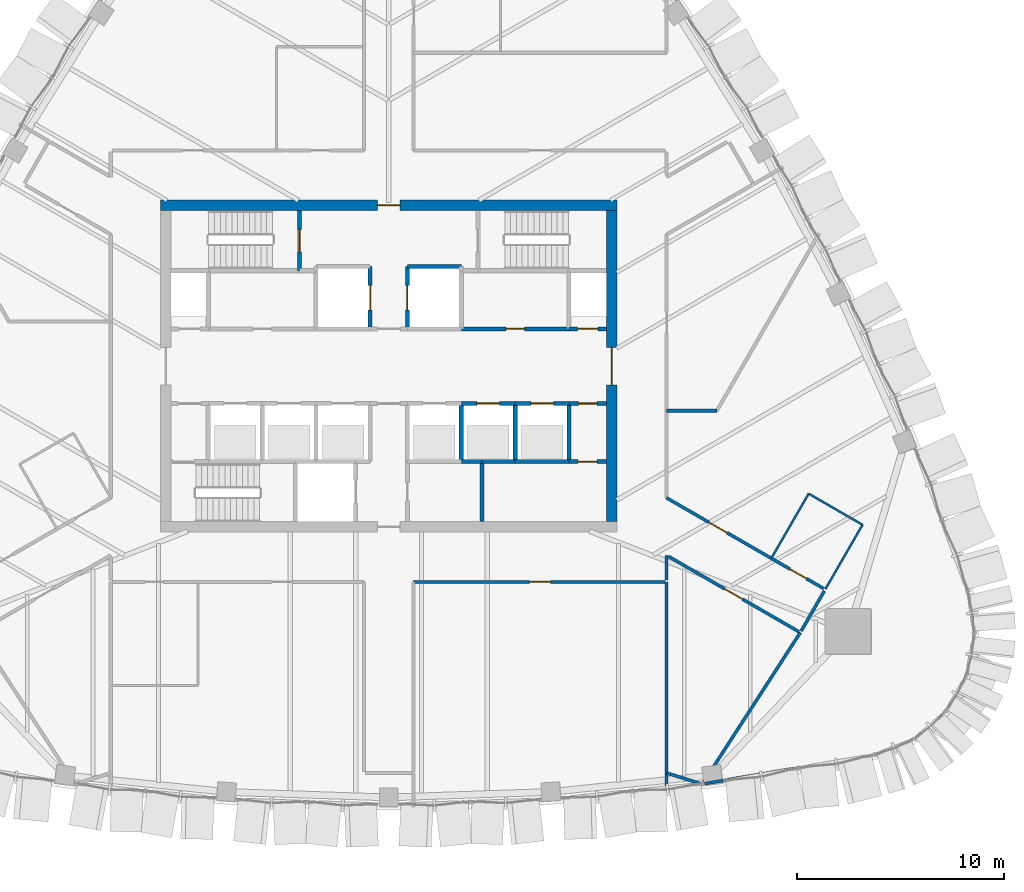
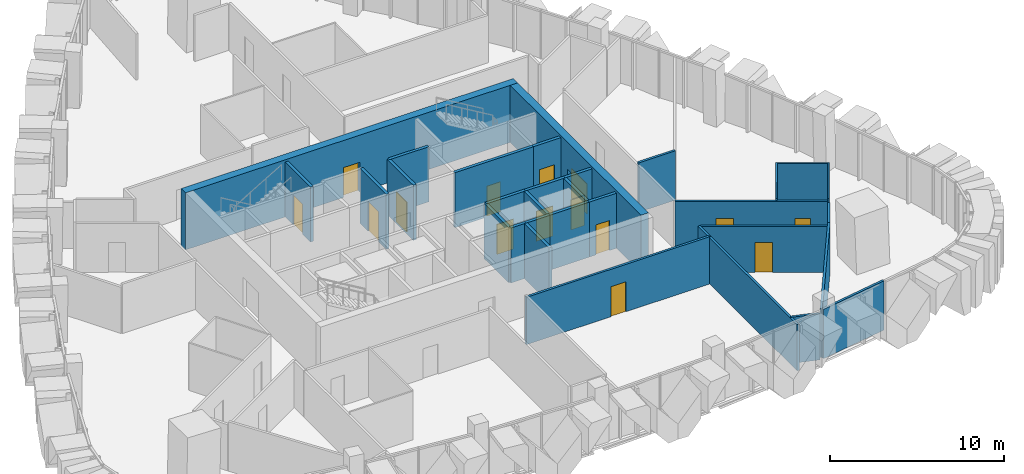
# One storey, part 14 of 19: 32 walls, 15 doors, 15 openings.
"""IFC4 building model written with IfcOpenShell, lengths in metres."""

import ifcopenshell
import ifcopenshell.guid

model = None  # the IFC model being written
_history = None  # IfcOwnerHistory: only IFC2X3 demands one
_inside = {}  # id of a spatial element -> (the spatial element, [elements in it])
_under = {}  # id of a project, library or spatial element -> (it, [spatial elements below it])
_declared = {}  # id of a project -> (the project, [libraries it declares])
_typed = {}  # id of a type object -> (the type object, [elements of that type])
_made_of = {}  # id of a material, layer set ... -> (it, [elements and type objects made of it])


def new_model(schema):
    """Start an empty IFC model of exactly this schema.

    Asked for "IFC4X3", IfcOpenShell would pick the latest addendum, in which some entities
    have other attributes; the version numbers below select the first issue.
    IFC2X3 requires an IfcOwnerHistory on every rooted entity: one is made here for all.
    """
    global model, _history
    if schema == "IFC4X3":
        model = ifcopenshell.file(schema_version=(4, 3, 0, 0))
    else:
        model = ifcopenshell.file(schema=schema)
    _inside.clear()
    _under.clear()
    _declared.clear()
    _typed.clear()
    _made_of.clear()
    _history = None
    if model.schema == "IFC2X3":
        org = make("IfcOrganization", Name="unknown")
        user = make(
            "IfcPersonAndOrganization",
            ThePerson=make("IfcPerson", FamilyName="unknown"),
            TheOrganization=org,
        )
        app = make(
            "IfcApplication",
            ApplicationDeveloper=org,
            Version="unknown",
            ApplicationFullName="unknown",
            ApplicationIdentifier="unknown",
        )
        _history = make(
            "IfcOwnerHistory",
            OwningUser=user,
            OwningApplication=app,
            ChangeAction="ADDED",
            CreationDate=0,
        )
    return model


def make(cls, **values):
    """One entity of the class cls with the attributes given. An attribute that is None is left unset."""
    return model.create_entity(
        cls, **{name: value for name, value in values.items() if value is not None}
    )


def rooted(cls, **values):
    """An entity with a GlobalId (a new one), such as an element, a storey or a relation."""
    return make(cls, GlobalId=ifcopenshell.guid.new(), OwnerHistory=_history, **values)


def si_unit(unit_type, name, prefix=None):
    """IfcSIUnit, for example si_unit("LENGTHUNIT", "METRE", prefix="MILLI")."""
    return make("IfcSIUnit", UnitType=unit_type, Prefix=prefix, Name=name)


def assignment(units):
    """IfcUnitAssignment: the units of a project."""
    return None if units is None else make("IfcUnitAssignment", Units=units)


def point(xyz):
    """IfcCartesianPoint."""
    return None if xyz is None else make("IfcCartesianPoint", Coordinates=xyz)


def direction(xyz):
    """IfcDirection."""
    return None if xyz is None else make("IfcDirection", DirectionRatios=xyz)


def frame(location, z_axis=None, x_axis=None):
    """IfcAxis2Placement3D, a coordinate frame: its origin and axes. An axis left out is left unset."""
    return make(
        "IfcAxis2Placement3D",
        Location=point(location),
        Axis=direction(z_axis),
        RefDirection=direction(x_axis),
    )


def frame_2d(location, x_axis=None):
    """IfcAxis2Placement2D, a coordinate frame in the plane: its origin and x axis."""
    return make(
        "IfcAxis2Placement2D", Location=point(location), RefDirection=direction(x_axis)
    )


def origin():
    """The frame at (0, 0, 0) with its axes left unset."""
    return frame((0.0, 0.0, 0.0))


def place(relative_to, where):
    """IfcLocalPlacement: puts the frame where relative to a parent placement (None: the world)."""
    return make(
        "IfcLocalPlacement", PlacementRelTo=relative_to, RelativePlacement=where
    )


def context(
    kind, dimensions, precision=None, world=None, true_north=None, identifier=None
):
    """IfcGeometricRepresentationContext, for example the 3D "Model" context."""
    return make(
        "IfcGeometricRepresentationContext",
        ContextIdentifier=identifier,
        ContextType=kind,
        CoordinateSpaceDimension=dimensions,
        Precision=precision,
        WorldCoordinateSystem=world,
        TrueNorth=true_north,
    )


def subcontext(parent, identifier, kind, view, scale=None):
    """IfcGeometricRepresentationSubContext, for example "Body" below "Model"."""
    return make(
        "IfcGeometricRepresentationSubContext",
        ContextIdentifier=identifier,
        ContextType=kind,
        ParentContext=parent,
        TargetScale=scale,
        TargetView=view,
    )


def project(units=None, contexts=None):
    """IfcProject with its units and contexts."""
    return rooted(
        "IfcProject",
        Name="project",
        RepresentationContexts=contexts,
        UnitsInContext=assignment(units),
    )


def spatial(cls, under=None, at=None, **own):
    """A site, building, storey or space (cls), placed at a placement, below another one or the project."""
    s = rooted(cls, ObjectPlacement=at, **own)
    if under is not None:
        _under.setdefault(under.id(), (under, []))[1].append(s)
    return s


def profile(cls, at=None, kind="AREA", **sizes):
    """A parametric profile (cls). Its sizes go by their IFC names, for example OverallWidth=200.0."""
    return make(cls, ProfileType=kind, Position=at, **sizes)


def rectangle(**sizes):
    """IfcRectangleProfileDef."""
    return profile("IfcRectangleProfileDef", **sizes)


def extrude(swept, where, along, depth):
    """IfcExtrudedAreaSolid: the profile swept, set in the frame where, extruded along a direction by depth."""
    return make(
        "IfcExtrudedAreaSolid",
        SweptArea=swept,
        Position=where,
        ExtrudedDirection=direction(along),
        Depth=depth,
    )


def shape(context_of_items, identifier, shape_type, items):
    """IfcShapeRepresentation: the items that make up one representation, for example the "Body"."""
    return make(
        "IfcShapeRepresentation",
        ContextOfItems=context_of_items,
        RepresentationIdentifier=identifier,
        RepresentationType=shape_type,
        Items=items,
    )


def material(Name=None, Category=None):
    """IfcMaterial."""
    return make("IfcMaterial", Name=Name, Category=Category)


def layer(
    of_material, thickness, ventilated=None, Name=None, Category=None, Priority=None
):
    """IfcMaterialLayer: one layer of a wall or slab, of a material (None: an air gap)."""
    return make(
        "IfcMaterialLayer",
        Material=of_material,
        LayerThickness=thickness,
        IsVentilated=ventilated,
        Name=Name,
        Category=Category,
        Priority=Priority,
    )


def layer_set(layers, Name=None):
    """IfcMaterialLayerSet."""
    return make("IfcMaterialLayerSet", MaterialLayers=layers, LayerSetName=Name)


def made_of(thing, what):
    """Note that an element or type object is made of a material, layer set ...; save() writes the relation."""
    if what is not None:
        _made_of.setdefault(what.id(), (what, []))[1].append(thing)
    return thing


def type_object(cls, material=None, **own):
    """A type object (cls), such as IfcWallType, which elements share."""
    return made_of(rooted(cls, **own), material)


def element(
    cls,
    number,
    at=None,
    inside=None,
    cuts=None,
    type_object=None,
    material=None,
    context=None,
    identifier="Body",
    shape_type=None,
    held_by="IfcProductDefinitionShape",
    body=None,
    shapes=None,
    **own,
):
    """One element of the class cls, such as IfcWall. Its Tag is "e" and its number.

    at: its placement. inside: the storey or other place that contains it. cuts: it is an
    opening in that element (IfcRelVoidsElement). A single representation is given by context,
    identifier, shape_type and body (its items); several are given by shapes. held_by: the class
    of the entity that holds the representations. save() writes the other relations.
    """
    e = rooted(cls, Tag="e%d" % number, ObjectPlacement=at, **own)
    if body is not None:
        shapes = [shape(context, identifier, shape_type, body)]
    if shapes is not None:
        e.Representation = make(held_by, Representations=shapes)
    if inside is not None:
        _inside.setdefault(inside.id(), (inside, []))[1].append(e)
    if cuts is not None:
        rooted(
            "IfcRelVoidsElement", RelatingBuildingElement=cuts, RelatedOpeningElement=e
        )
    if type_object is not None:
        _typed.setdefault(type_object.id(), (type_object, []))[1].append(e)
    return made_of(e, material)


def fill(opening, filler):
    """IfcRelFillsElement: the door or window that sits in an opening."""
    return rooted(
        "IfcRelFillsElement",
        RelatingOpeningElement=opening,
        RelatedBuildingElement=filler,
    )


def aggregate(whole, parts):
    """IfcRelAggregates: a whole, such as a stair, and the parts it consists of."""
    return rooted("IfcRelAggregates", RelatingObject=whole, RelatedObjects=parts)


def save(model, path):
    """Write the relations noted so far, then the file.

    IfcRelAggregates (storeys below a building ...), IfcRelContainedInSpatialStructure (elements
    in a storey), IfcRelDefinesByType, IfcRelAssociatesMaterial and IfcRelDeclares: one each for
    every whole, place, type object, material and project.
    """
    for whole, parts in _under.values():
        aggregate(whole, parts)
    for where, things in _inside.values():
        rooted(
            "IfcRelContainedInSpatialStructure",
            RelatedElements=things,
            RelatingStructure=where,
        )
    for kind, things in _typed.values():
        rooted("IfcRelDefinesByType", RelatedObjects=things, RelatingType=kind)
    for what, things in _made_of.values():
        rooted("IfcRelAssociatesMaterial", RelatedObjects=things, RelatingMaterial=what)
    for by, libraries in _declared.values():
        rooted("IfcRelDeclares", RelatingContext=by, RelatedDefinitions=libraries)
    model.write(path)


model = new_model("IFC4")

# Units and contexts
model_context = context("Model", 3, precision=1e-05, world=origin(), true_north=direction((0.0, 1.0)))
body_context = subcontext(model_context, "Body", "Model", "MODEL_VIEW")
ifc_project = project(units=[si_unit("LENGTHUNIT", "METRE"), si_unit("AREAUNIT", "SQUARE_METRE"), si_unit("VOLUMEUNIT", "CUBIC_METRE"), si_unit("PLANEANGLEUNIT", "RADIAN"), si_unit("MASSUNIT", "GRAM", prefix="KILO")], contexts=[model_context])

# Site, building, storey
site_placement = place(None, origin())
site = spatial("IfcSite", under=ifc_project, at=site_placement, CompositionType="ELEMENT")
building_placement = place(site_placement, origin())
building = spatial("IfcBuilding", under=site, at=building_placement, Name="Sierra Prisma Convention Tower", CompositionType="ELEMENT")
storey_placement = place(building_placement, frame((0.0, 0.0, 235.0)))
storey = spatial("IfcBuildingStorey", under=building, at=storey_placement, Name="L52", CompositionType="ELEMENT", Elevation=235.0)

# Walls
ifc_material_1 = material(Name="Gypsum board partition", Category="gypsum")
ifc_layer_1 = layer(ifc_material_1, 0.10009765625)
ifc_layer_set_1 = layer_set([ifc_layer_1], Name="Bathroom partition 100")
wall_type_1 = type_object("IfcWallType", Name="Bathroom partition 100", PredefinedType="PARTITIONING", material=ifc_layer_set_1)
wall_1_placement = place(storey_placement, frame((18.4658203125, -9.240966796875, 0.0), z_axis=(0.0, 0.0, 1.0), x_axis=(0.499971082179, 0.866042098853, 0.0)))
element("IfcWall", 1, at=wall_1_placement, inside=storey, type_object=wall_type_1, Name="Partition L52 bath 10", PredefinedType="PARTITIONING", context=body_context, shape_type="SweptSolid", body=[
    extrude(rectangle(XDim=3.570068359375, YDim=0.10009765625, at=frame_2d((1.78515625, 0.0))), origin(), (0.0, 0.0, 1.0), 3.449951171875),
])
wall_2_placement = place(storey_placement, frame((20.250732421875, -6.149169921875, 0.0), z_axis=(0.0, 0.0, 1.0), x_axis=(0.866010750942, -0.50002537861, 0.0)))
element("IfcWall", 2, at=wall_2_placement, inside=storey, type_object=wall_type_1, Name="Partition L52 bath 11", PredefinedType="PARTITIONING", context=body_context, shape_type="SweptSolid", body=[
    extrude(rectangle(XDim=2.999755859375, YDim=0.10009765625, at=frame_2d((1.5, 0.0))), origin(), (0.0, 0.0, 1.0), 3.443115234375),
])
wall_3_placement = place(storey_placement, frame((22.8486328125, -7.649169921875, 0.0), z_axis=(0.0, 0.0, 1.0), x_axis=(-0.499971082179, -0.866042098853, 0.0)))
element("IfcWall", 3, at=wall_3_placement, inside=storey, type_object=wall_type_1, Name="Partition L52 bath 12", PredefinedType="PARTITIONING", context=body_context, shape_type="SweptSolid", body=[
    extrude(rectangle(XDim=3.570068359375, YDim=0.10009765625, at=frame_2d((1.78515625, 0.0))), origin(), (0.0, 0.0, 1.0), 3.449951171875),
])

# Wall, opening, door
ifc_material_2 = material(Name="Concrete C30/37", Category="concrete")
ifc_layer_2 = layer(ifc_material_2, 0.199951171875)
ifc_layer_set_2 = layer_set([ifc_layer_2], Name="Core wall RC 200 C30/37")
wall_type_2 = type_object("IfcWallType", Name="Core wall RC 200 C30/37", PredefinedType="SOLIDWALL", material=ifc_layer_set_2)
wall_4_placement = place(storey_placement, frame((-4.300048828125, 4.60009765625, 0.0), z_axis=(0.0, 0.0, 1.0), x_axis=(0.0, 1.0, 0.0)))
wall_4 = element("IfcWall", 4, at=wall_4_placement, inside=storey, type_object=wall_type_2, Name="Core wall L52 17", PredefinedType="SOLIDWALL", context=body_context, shape_type="SweptSolid", body=[
    extrude(rectangle(XDim=2.89990234375, YDim=0.199951171875, at=frame_2d((1.449951171875, 0.0))), origin(), (0.0, 0.0, 1.0), 3.85009765625),
])
opening_1_placement = place(wall_4_placement, frame((0.89990234375, 0.0, 0.0)))
opening_1 = element("IfcOpeningElement", 5, at=opening_1_placement, cuts=wall_4, Name="Opening L52-D016", PredefinedType="OPENING", context=body_context, shape_type="SweptSolid", body=[
    extrude(rectangle(XDim=1.10009765625, YDim=2.10009765625, at=frame_2d((0.550048828125, 1.050048828125))), frame((0.0, 0.10009765625, 0.0), z_axis=(0.0, -1.0, 0.0), x_axis=(1.0, 0.0, 0.0)), (0.0, 0.0, 1.0), 0.199951171875),
])
ifc_material_3 = material(Name="Steel fire door leaf", Category="steel")
door_type_1 = type_object("IfcDoorType", Name="Door 1100x2100 FD90S", OperationType="SINGLE_SWING_LEFT", PredefinedType="DOOR", material=ifc_material_3)
door_1_placement = place(opening_1_placement, origin())
door_1 = element("IfcDoor", 6, at=door_1_placement, inside=storey, type_object=door_type_1, Name="Door L52 32", OperationType="SINGLE_SWING_RIGHT", OverallHeight=2.10009765625, OverallWidth=1.10009765625, PredefinedType="DOOR", context=body_context, shape_type="SweptSolid", body=[
    extrude(rectangle(XDim=1.10009765625, YDim=2.10009765625, at=frame_2d((0.550048828125, 1.050048828125))), frame((0.0, 0.02490234375, 0.0), z_axis=(0.0, -1.0, 0.0), x_axis=(1.0, 0.0, 0.0)), (0.0, 0.0, 1.0), 0.050048828125),
])
fill(opening_1, door_1)

wall_5_placement = place(storey_placement, frame((-0.89990234375, 1.800048828125, 0.0), z_axis=(0.0, 0.0, 1.0), x_axis=(0.0, 1.0, 0.0)))
wall_5 = element("IfcWall", 7, at=wall_5_placement, inside=storey, type_object=wall_type_2, Name="Core wall L52 23", PredefinedType="SOLIDWALL", context=body_context, shape_type="SweptSolid", body=[
    extrude(rectangle(XDim=3.0, YDim=0.199951171875, at=frame_2d((1.5, 0.0))), origin(), (0.0, 0.0, 1.0), 3.85009765625),
])
opening_2_placement = place(wall_5_placement, frame((0.89990234375, 0.0, 0.0)))
opening_2 = element("IfcOpeningElement", 8, at=opening_2_placement, cuts=wall_5, Name="Opening L52-D007", PredefinedType="OPENING", context=body_context, shape_type="SweptSolid", body=[
    extrude(rectangle(XDim=1.199951171875, YDim=2.10009765625, at=frame_2d((0.60009765625, 1.050048828125))), frame((0.0, 0.10009765625, 0.0), z_axis=(0.0, -1.0, 0.0), x_axis=(1.0, 0.0, 0.0)), (0.0, 0.0, 1.0), 0.199951171875),
])
ifc_material_4 = material(Name="Steel fire door leaf", Category="steel")
door_type_2 = type_object("IfcDoorType", Name="Door 1200x2100 EI 90 sliding lift landing", OperationType="SLIDING_TO_LEFT", PredefinedType="DOOR", material=ifc_material_4)
door_2_placement = place(opening_2_placement, origin())
door_2 = element("IfcDoor", 9, at=door_2_placement, inside=storey, type_object=door_type_2, Name="Door L52 23", OperationType="SLIDING_TO_RIGHT", OverallHeight=2.10009765625, OverallWidth=1.199951171875, PredefinedType="DOOR", context=body_context, shape_type="SweptSolid", body=[
    extrude(rectangle(XDim=1.199951171875, YDim=2.10009765625, at=frame_2d((0.60009765625, 1.050048828125))), frame((0.0, 0.02490234375, 0.0), z_axis=(0.0, -1.0, 0.0), x_axis=(1.0, 0.0, 0.0)), (0.0, 0.0, 1.0), 0.050048828125),
])
fill(opening_2, door_2)

# Wall
wall_6_placement = place(storey_placement, frame((3.5, 4.800048828125, 0.0), z_axis=(0.0, 0.0, 1.0), x_axis=(-1.0, 0.0, 0.0)))
element("IfcWall", 10, at=wall_6_placement, inside=storey, type_object=wall_type_2, Name="Core wall L52 37", PredefinedType="SOLIDWALL", context=body_context, shape_type="SweptSolid", body=[
    extrude(rectangle(XDim=2.60009765625, YDim=0.199951171875, at=frame_2d((1.300048828125, 0.0))), origin(), (0.0, 0.0, 1.0), 3.85009765625),
])

# Wall, opening, door
wall_7_placement = place(storey_placement, frame((0.89990234375, 4.800048828125, 0.0), z_axis=(0.0, 0.0, 1.0), x_axis=(0.0, -1.0, 0.0)))
wall_7 = element("IfcWall", 11, at=wall_7_placement, inside=storey, type_object=wall_type_2, Name="Core wall L52 38", PredefinedType="SOLIDWALL", context=body_context, shape_type="SweptSolid", body=[
    extrude(rectangle(XDim=3.0, YDim=0.199951171875, at=frame_2d((1.5, 0.0))), origin(), (0.0, 0.0, 1.0), 3.85009765625),
])
opening_3_placement = place(wall_7_placement, frame((0.89990234375, 0.0, 0.0)))
opening_3 = element("IfcOpeningElement", 12, at=opening_3_placement, cuts=wall_7, Name="Opening L52-D008", PredefinedType="OPENING", context=body_context, shape_type="SweptSolid", body=[
    extrude(rectangle(XDim=1.199951171875, YDim=2.10009765625, at=frame_2d((0.60009765625, 1.050048828125))), frame((0.0, 0.10009765625, 0.0), z_axis=(0.0, -1.0, 0.0), x_axis=(1.0, 0.0, 0.0)), (0.0, 0.0, 1.0), 0.199951171875),
])
door_3_placement = place(opening_3_placement, origin())
door_3 = element("IfcDoor", 13, at=door_3_placement, inside=storey, type_object=door_type_2, Name="Door L52 24", OperationType="SLIDING_TO_RIGHT", OverallHeight=2.10009765625, OverallWidth=1.199951171875, PredefinedType="DOOR", context=body_context, shape_type="SweptSolid", body=[
    extrude(rectangle(XDim=1.199951171875, YDim=2.10009765625, at=frame_2d((0.60009765625, 1.050048828125))), frame((0.0, 0.02490234375, 0.0), z_axis=(0.0, -1.0, 0.0), x_axis=(1.0, 0.0, 0.0)), (0.0, 0.0, 1.0), 0.050048828125),
])
fill(opening_3, door_3)

# Walls
wall_8_placement = place(storey_placement, frame((4.5, -4.60009765625, 0.0), z_axis=(0.0, 0.0, 1.0), x_axis=(-1.0, 0.0, 0.0)))
element("IfcWall", 14, at=wall_8_placement, inside=storey, type_object=wall_type_2, Name="Core wall L52 39", PredefinedType="SOLIDWALL", context=body_context, shape_type="SweptSolid", body=[
    extrude(rectangle(XDim=1.0, YDim=0.199951171875, at=frame_2d((0.5, 0.0))), origin(), (0.0, 0.0, 1.0), 3.85009765625),
])
wall_9_placement = place(storey_placement, frame((3.5, -4.60009765625, 0.0), z_axis=(0.0, 0.0, 1.0), x_axis=(0.0, 1.0, 0.0)))
element("IfcWall", 15, at=wall_9_placement, inside=storey, type_object=wall_type_2, Name="Core wall L52 40", PredefinedType="SOLIDWALL", context=body_context, shape_type="SweptSolid", body=[
    extrude(rectangle(XDim=2.800048828125, YDim=0.199951171875, at=frame_2d((1.39990234375, 0.0))), origin(), (0.0, 0.0, 1.0), 3.85009765625),
])

# Wall, opening, door
wall_10_placement = place(storey_placement, frame((3.5, -1.800048828125, 0.0), z_axis=(0.0, 0.0, 1.0), x_axis=(1.0, 0.0, 0.0)))
wall_10 = element("IfcWall", 16, at=wall_10_placement, inside=storey, type_object=wall_type_2, Name="Core wall L52 41", PredefinedType="SOLIDWALL", context=body_context, shape_type="SweptSolid", body=[
    extrude(rectangle(XDim=2.60009765625, YDim=0.199951171875, at=frame_2d((1.300048828125, 0.0))), origin(), (0.0, 0.0, 1.0), 3.85009765625),
])
opening_4_placement = place(wall_10_placement, frame((0.75, 0.0, 0.0)))
opening_4 = element("IfcOpeningElement", 17, at=opening_4_placement, cuts=wall_10, Name="Opening L52-D005", PredefinedType="OPENING", context=body_context, shape_type="SweptSolid", body=[
    extrude(rectangle(XDim=1.10009765625, YDim=2.10009765625, at=frame_2d((0.550048828125, 1.050048828125))), frame((0.0, 0.10009765625, 0.0), z_axis=(0.0, -1.0, 0.0), x_axis=(1.0, 0.0, 0.0)), (0.0, 0.0, 1.0), 0.199951171875),
])
ifc_material_5 = material(Name="Steel fire door leaf", Category="steel")
door_type_3 = type_object("IfcDoorType", Name="Door 1100x2100 EI 90 sliding lift landing", OperationType="SLIDING_TO_LEFT", PredefinedType="DOOR", material=ifc_material_5)
door_4_placement = place(opening_4_placement, origin())
door_4 = element("IfcDoor", 18, at=door_4_placement, inside=storey, type_object=door_type_3, Name="Door L52 21", OperationType="SLIDING_TO_RIGHT", OverallHeight=2.10009765625, OverallWidth=1.10009765625, PredefinedType="DOOR", context=body_context, shape_type="SweptSolid", body=[
    extrude(rectangle(XDim=1.10009765625, YDim=2.10009765625, at=frame_2d((0.550048828125, 1.050048828125))), frame((0.0, 0.02490234375, 0.0), z_axis=(0.0, -1.0, 0.0), x_axis=(1.0, 0.0, 0.0)), (0.0, 0.0, 1.0), 0.050048828125),
])
fill(opening_4, door_4)

wall_11_placement = place(storey_placement, frame((3.5, 1.800048828125, 0.0), z_axis=(0.0, 0.0, 1.0), x_axis=(1.0, 0.0, 0.0)))
wall_11 = element("IfcWall", 19, at=wall_11_placement, inside=storey, type_object=wall_type_2, Name="Core wall L52 42", PredefinedType="SOLIDWALL", context=body_context, shape_type="SweptSolid", body=[
    extrude(rectangle(XDim=5.199951171875, YDim=0.199951171875, at=frame_2d((2.60009765625, 0.0))), origin(), (0.0, 0.0, 1.0), 3.85009765625),
])
opening_5_placement = place(wall_11_placement, frame((2.14990234375, 0.0, 0.0)))
opening_5 = element("IfcOpeningElement", 20, at=opening_5_placement, cuts=wall_11, Name="Opening L52-D018", PredefinedType="OPENING", context=body_context, shape_type="SweptSolid", body=[
    extrude(rectangle(XDim=0.89990234375, YDim=2.10009765625, at=frame_2d((0.449951171875, 1.050048828125))), frame((0.0, 0.10009765625, 0.0), z_axis=(0.0, -1.0, 0.0), x_axis=(1.0, 0.0, 0.0)), (0.0, 0.0, 1.0), 0.199951171875),
])
ifc_material_6 = material(Name="Steel fire door leaf", Category="steel")
door_type_4 = type_object("IfcDoorType", Name="Door 900x2100 FD30S", OperationType="SINGLE_SWING_LEFT", PredefinedType="DOOR", material=ifc_material_6)
door_5_placement = place(opening_5_placement, origin())
door_5 = element("IfcDoor", 21, at=door_5_placement, inside=storey, type_object=door_type_4, Name="Door L52 34", OperationType="SINGLE_SWING_LEFT", OverallHeight=2.10009765625, OverallWidth=0.89990234375, PredefinedType="DOOR", context=body_context, shape_type="SweptSolid", body=[
    extrude(rectangle(XDim=0.89990234375, YDim=2.10009765625, at=frame_2d((0.449951171875, 1.050048828125))), frame((0.0, 0.02490234375, 0.0), z_axis=(0.0, -1.0, 0.0), x_axis=(1.0, 0.0, 0.0)), (0.0, 0.0, 1.0), 0.050048828125),
])
fill(opening_5, door_5)

# Walls
wall_12_placement = place(storey_placement, frame((4.5, -4.60009765625, 0.0), z_axis=(0.0, 0.0, 1.0), x_axis=(0.0, -1.0, 0.0)))
element("IfcWall", 22, at=wall_12_placement, inside=storey, type_object=wall_type_2, Name="Core wall L52 47", PredefinedType="SOLIDWALL", context=body_context, shape_type="SweptSolid", body=[
    extrude(rectangle(XDim=2.89990234375, YDim=0.199951171875, at=frame_2d((1.449951171875, 0.0))), origin(), (0.0, 0.0, 1.0), 3.85009765625),
])
wall_13_placement = place(storey_placement, frame((6.10009765625, -4.60009765625, 0.0), z_axis=(0.0, 0.0, 1.0), x_axis=(-1.0, 0.0, 0.0)))
element("IfcWall", 23, at=wall_13_placement, inside=storey, type_object=wall_type_2, Name="Core wall L52 48", PredefinedType="SOLIDWALL", context=body_context, shape_type="SweptSolid", body=[
    extrude(rectangle(XDim=1.60009765625, YDim=0.199951171875, at=frame_2d((0.800048828125, 0.0))), origin(), (0.0, 0.0, 1.0), 3.85009765625),
])
wall_14_placement = place(storey_placement, frame((8.699951171875, -4.60009765625, 0.0), z_axis=(0.0, 0.0, 1.0), x_axis=(-1.0, 0.0, 0.0)))
element("IfcWall", 24, at=wall_14_placement, inside=storey, type_object=wall_type_2, Name="Core wall L52 49", PredefinedType="SOLIDWALL", context=body_context, shape_type="SweptSolid", body=[
    extrude(rectangle(XDim=2.599853515625, YDim=0.199951171875, at=frame_2d((1.2998046875, 0.0))), origin(), (0.0, 0.0, 1.0), 3.85009765625),
])
wall_15_placement = place(storey_placement, frame((6.10009765625, -4.60009765625, 0.0), z_axis=(0.0, 0.0, 1.0), x_axis=(0.0, 1.0, 0.0)))
element("IfcWall", 25, at=wall_15_placement, inside=storey, type_object=wall_type_2, Name="Core wall L52 50", PredefinedType="SOLIDWALL", context=body_context, shape_type="SweptSolid", body=[
    extrude(rectangle(XDim=2.800048828125, YDim=0.199951171875, at=frame_2d((1.39990234375, 0.0))), origin(), (0.0, 0.0, 1.0), 3.85009765625),
])

# Wall, opening, door
wall_16_placement = place(storey_placement, frame((6.10009765625, -1.800048828125, 0.0), z_axis=(0.0, 0.0, 1.0), x_axis=(1.0, 0.0, 0.0)))
wall_16 = element("IfcWall", 26, at=wall_16_placement, inside=storey, type_object=wall_type_2, Name="Core wall L52 51", PredefinedType="SOLIDWALL", context=body_context, shape_type="SweptSolid", body=[
    extrude(rectangle(XDim=2.599853515625, YDim=0.199951171875, at=frame_2d((1.2998046875, 0.0))), origin(), (0.0, 0.0, 1.0), 3.85009765625),
])
opening_6_placement = place(wall_16_placement, frame((0.75, 0.0, 0.0)))
opening_6 = element("IfcOpeningElement", 27, at=opening_6_placement, cuts=wall_16, Name="Opening L52-D006", PredefinedType="OPENING", context=body_context, shape_type="SweptSolid", body=[
    extrude(rectangle(XDim=1.10009765625, YDim=2.10009765625, at=frame_2d((0.550048828125, 1.050048828125))), frame((0.0, 0.10009765625, 0.0), z_axis=(0.0, -1.0, 0.0), x_axis=(1.0, 0.0, 0.0)), (0.0, 0.0, 1.0), 0.199951171875),
])
door_6_placement = place(opening_6_placement, origin())
door_6 = element("IfcDoor", 28, at=door_6_placement, inside=storey, type_object=door_type_3, Name="Door L52 22", OperationType="SLIDING_TO_RIGHT", OverallHeight=2.10009765625, OverallWidth=1.10009765625, PredefinedType="DOOR", context=body_context, shape_type="SweptSolid", body=[
    extrude(rectangle(XDim=1.10009765625, YDim=2.10009765625, at=frame_2d((0.550048828125, 1.050048828125))), frame((0.0, 0.02490234375, 0.0), z_axis=(0.0, -1.0, 0.0), x_axis=(1.0, 0.0, 0.0)), (0.0, 0.0, 1.0), 0.050048828125),
])
fill(opening_6, door_6)

wall_17_placement = place(storey_placement, frame((10.5, -4.60009765625, 0.0), z_axis=(0.0, 0.0, 1.0), x_axis=(-1.0, 0.0, 0.0)))
wall_17 = element("IfcWall", 29, at=wall_17_placement, inside=storey, type_object=wall_type_2, Name="Core wall L52 52", PredefinedType="SOLIDWALL", context=body_context, shape_type="SweptSolid", body=[
    extrude(rectangle(XDim=1.800048828125, YDim=0.199951171875, at=frame_2d((0.89990234375, 0.0))), origin(), (0.0, 0.0, 1.0), 3.85009765625),
])
opening_7_placement = place(wall_17_placement, frame((0.4599609375, 0.0, 0.0)))
opening_7 = element("IfcOpeningElement", 30, at=opening_7_placement, cuts=wall_17, Name="Opening L52-D020", PredefinedType="OPENING", context=body_context, shape_type="SweptSolid", body=[
    extrude(rectangle(XDim=0.89990234375, YDim=2.10009765625, at=frame_2d((0.449951171875, 1.050048828125))), frame((0.0, 0.10009765625, 0.0), z_axis=(0.0, -1.0, 0.0), x_axis=(1.0, 0.0, 0.0)), (0.0, 0.0, 1.0), 0.199951171875),
])
door_7_placement = place(opening_7_placement, origin())
door_7 = element("IfcDoor", 31, at=door_7_placement, inside=storey, type_object=door_type_4, Name="Door L52 36", OperationType="SINGLE_SWING_RIGHT", OverallHeight=2.10009765625, OverallWidth=0.89990234375, PredefinedType="DOOR", context=body_context, shape_type="SweptSolid", body=[
    extrude(rectangle(XDim=0.89990234375, YDim=2.10009765625, at=frame_2d((0.449951171875, 1.050048828125))), frame((0.0, 0.02490234375, 0.0), z_axis=(0.0, -1.0, 0.0), x_axis=(1.0, 0.0, 0.0)), (0.0, 0.0, 1.0), 0.050048828125),
])
fill(opening_7, door_7)

# Wall
wall_18_placement = place(storey_placement, frame((8.699951171875, -1.800048828125, 0.0), z_axis=(0.0, 0.0, 1.0), x_axis=(0.0, -1.0, 0.0)))
element("IfcWall", 32, at=wall_18_placement, inside=storey, type_object=wall_type_2, Name="Core wall L52 53", PredefinedType="SOLIDWALL", context=body_context, shape_type="SweptSolid", body=[
    extrude(rectangle(XDim=2.800048828125, YDim=0.199951171875, at=frame_2d((1.39990234375, 0.0))), origin(), (0.0, 0.0, 1.0), 3.85009765625),
])

# Wall, opening, door
wall_19_placement = place(storey_placement, frame((8.699951171875, -1.800048828125, 0.0), z_axis=(0.0, 0.0, 1.0), x_axis=(1.0, 0.0, 0.0)))
wall_19 = element("IfcWall", 33, at=wall_19_placement, inside=storey, type_object=wall_type_2, Name="Core wall L52 54", PredefinedType="SOLIDWALL", context=body_context, shape_type="SweptSolid", body=[
    extrude(rectangle(XDim=1.800048828125, YDim=0.199951171875, at=frame_2d((0.89990234375, 0.0))), origin(), (0.0, 0.0, 1.0), 3.85009765625),
])
opening_8_placement = place(wall_19_placement, frame((0.449951171875, 0.0, 0.0)))
opening_8 = element("IfcOpeningElement", 34, at=opening_8_placement, cuts=wall_19, Name="Opening L52-D021", PredefinedType="OPENING", context=body_context, shape_type="SweptSolid", body=[
    extrude(rectangle(XDim=0.89990234375, YDim=2.10009765625, at=frame_2d((0.449951171875, 1.050048828125))), frame((0.0, 0.10009765625, 0.0), z_axis=(0.0, -1.0, 0.0), x_axis=(1.0, 0.0, 0.0)), (0.0, 0.0, 1.0), 0.199951171875),
])
door_8_placement = place(opening_8_placement, origin())
door_8 = element("IfcDoor", 35, at=door_8_placement, inside=storey, type_object=door_type_4, Name="Door L52 37", OperationType="SINGLE_SWING_RIGHT", OverallHeight=2.10009765625, OverallWidth=0.89990234375, PredefinedType="DOOR", context=body_context, shape_type="SweptSolid", body=[
    extrude(rectangle(XDim=0.89990234375, YDim=2.10009765625, at=frame_2d((0.449951171875, 1.050048828125))), frame((0.0, 0.02490234375, 0.0), z_axis=(0.0, -1.0, 0.0), x_axis=(1.0, 0.0, 0.0)), (0.0, 0.0, 1.0), 0.050048828125),
])
fill(opening_8, door_8)

wall_20_placement = place(storey_placement, frame((10.5, 1.800048828125, 0.0), z_axis=(0.0, 0.0, 1.0), x_axis=(-1.0, 0.0, 0.0)))
wall_20 = element("IfcWall", 36, at=wall_20_placement, inside=storey, type_object=wall_type_2, Name="Core wall L52 55", PredefinedType="SOLIDWALL", context=body_context, shape_type="SweptSolid", body=[
    extrude(rectangle(XDim=1.800048828125, YDim=0.199951171875, at=frame_2d((0.89990234375, 0.0))), origin(), (0.0, 0.0, 1.0), 3.85009765625),
])
opening_9_placement = place(wall_20_placement, frame((0.39990234375, 0.0, 0.0)))
opening_9 = element("IfcOpeningElement", 37, at=opening_9_placement, cuts=wall_20, Name="Opening L52-D014", PredefinedType="OPENING", context=body_context, shape_type="SweptSolid", body=[
    extrude(rectangle(XDim=1.0, YDim=2.10009765625, at=frame_2d((0.5, 1.050048828125))), frame((0.0, 0.10009765625, 0.0), z_axis=(0.0, -1.0, 0.0), x_axis=(1.0, 0.0, 0.0)), (0.0, 0.0, 1.0), 0.199951171875),
])
ifc_material_7 = material(Name="Steel fire door leaf", Category="steel")
door_type_5 = type_object("IfcDoorType", Name="Door 1000x2100 FD60S", OperationType="SINGLE_SWING_LEFT", PredefinedType="DOOR", material=ifc_material_7)
door_9_placement = place(opening_9_placement, origin())
door_9 = element("IfcDoor", 38, at=door_9_placement, inside=storey, type_object=door_type_5, Name="Door L52 30", OperationType="SINGLE_SWING_LEFT", OverallHeight=2.10009765625, OverallWidth=1.0, PredefinedType="DOOR", context=body_context, shape_type="SweptSolid", body=[
    extrude(rectangle(XDim=1.0, YDim=2.10009765625, at=frame_2d((0.5, 1.050048828125))), frame((0.0, 0.02490234375, 0.0), z_axis=(0.0, -1.0, 0.0), x_axis=(1.0, 0.0, 0.0)), (0.0, 0.0, 1.0), 0.050048828125),
])
fill(opening_9, door_9)

ifc_material_8 = material(Name="Concrete C50/60", Category="concrete")
ifc_layer_3 = layer(ifc_material_8, 0.5)
ifc_layer_set_3 = layer_set([ifc_layer_3], Name="Core wall RC 500 C50/60")
wall_type_3 = type_object("IfcWallType", Name="Core wall RC 500 C50/60", PredefinedType="SHEAR", material=ifc_layer_set_3)
wall_21_placement = place(storey_placement, frame((-11.0, 7.75, 0.0), z_axis=(0.0, 0.0, 1.0), x_axis=(1.0, 0.0, 0.0)))
wall_21 = element("IfcWall", 39, at=wall_21_placement, inside=storey, type_object=wall_type_3, Name="Core wall N L52", PredefinedType="SHEAR", context=body_context, shape_type="SweptSolid", body=[
    extrude(rectangle(XDim=22.0, YDim=0.5, at=frame_2d((11.0, 0.0))), origin(), (0.0, 0.0, 1.0), 4.0),
])
opening_10_placement = place(wall_21_placement, frame((10.449951171875, 0.0, 0.0)))
opening_10 = element("IfcOpeningElement", 40, at=opening_10_placement, cuts=wall_21, Name="Opening L52-D040", PredefinedType="OPENING", context=body_context, shape_type="SweptSolid", body=[
    extrude(rectangle(XDim=1.10009765625, YDim=2.10009765625, at=frame_2d((0.550048828125, 1.050048828125))), frame((0.0, 0.25, 0.0), z_axis=(0.0, -1.0, 0.0), x_axis=(1.0, 0.0, 0.0)), (0.0, 0.0, 1.0), 0.5),
])
ifc_material_9 = material(Name="Steel fire door leaf", Category="steel")
door_type_6 = type_object("IfcDoorType", Name="Door 1100x2100 FD60S", OperationType="SINGLE_SWING_LEFT", PredefinedType="DOOR", material=ifc_material_9)
door_10_placement = place(opening_10_placement, origin())
door_10 = element("IfcDoor", 41, at=door_10_placement, inside=storey, type_object=door_type_6, Name="Door L52 41", OperationType="SINGLE_SWING_RIGHT", OverallHeight=2.10009765625, OverallWidth=1.10009765625, PredefinedType="DOOR", context=body_context, shape_type="SweptSolid", body=[
    extrude(rectangle(XDim=1.10009765625, YDim=2.10009765625, at=frame_2d((0.550048828125, 1.050048828125))), frame((0.0, 0.02490234375, 0.0), z_axis=(0.0, -1.0, 0.0), x_axis=(1.0, 0.0, 0.0)), (0.0, 0.0, 1.0), 0.050048828125),
])
fill(opening_10, door_10)

wall_22_placement = place(storey_placement, frame((10.75, -7.5, 0.0), z_axis=(0.0, 0.0, 1.0), x_axis=(0.0, 1.0, 0.0)))
wall_22 = element("IfcWall", 42, at=wall_22_placement, inside=storey, type_object=wall_type_3, Name="Core wall E L52", PredefinedType="SHEAR", context=body_context, shape_type="SweptSolid", body=[
    extrude(rectangle(XDim=15.0, YDim=0.5, at=frame_2d((7.5, 0.0))), origin(), (0.0, 0.0, 1.0), 4.0),
])
opening_11_placement = place(wall_22_placement, frame((6.60009765625, 0.0, 0.0)))
opening_11 = element("IfcOpeningElement", 43, at=opening_11_placement, cuts=wall_22, Name="Opening L52-D039", PredefinedType="OPENING", context=body_context, shape_type="SweptSolid", body=[
    extrude(rectangle(XDim=1.800048828125, YDim=2.10009765625, at=frame_2d((0.89990234375, 1.050048828125))), frame((0.0, 0.25, 0.0), z_axis=(0.0, -1.0, 0.0), x_axis=(1.0, 0.0, 0.0)), (0.0, 0.0, 1.0), 0.5),
])
ifc_material_10 = material(Name="Steel fire door leaf", Category="steel")
door_type_7 = type_object("IfcDoorType", Name="Door 1800x2100 FD60S", OperationType="DOUBLE_DOOR_SINGLE_SWING", PredefinedType="DOOR", material=ifc_material_10)
door_11_placement = place(opening_11_placement, origin())
door_11 = element("IfcDoor", 44, at=door_11_placement, inside=storey, type_object=door_type_7, Name="Door L52 40", OperationType="DOUBLE_DOOR_SINGLE_SWING", OverallHeight=2.10009765625, OverallWidth=1.800048828125, PredefinedType="DOOR", context=body_context, shape_type="SweptSolid", body=[
    extrude(rectangle(XDim=1.800048828125, YDim=2.10009765625, at=frame_2d((0.89990234375, 1.050048828125))), frame((0.0, 0.02490234375, 0.0), z_axis=(0.0, -1.0, 0.0), x_axis=(1.0, 0.0, 0.0)), (0.0, 0.0, 1.0), 0.050048828125),
])
fill(opening_11, door_11)

ifc_material_11 = material(Name="Gypsum board partition", Category="gypsum")
ifc_layer_4 = layer(ifc_material_11, 0.14990234375)
ifc_layer_set_4 = layer_set([ifc_layer_4], Name="Corridor wall 150 gypsum EI 60")
wall_type_4 = type_object("IfcWallType", Name="Corridor wall 150 gypsum EI 60", PredefinedType="PARTITIONING", material=ifc_layer_set_4)
wall_23_placement = place(storey_placement, frame((1.199951171875, -10.39990234375, 0.0), z_axis=(0.0, 0.0, 1.0), x_axis=(1.0, 0.0, 0.0)))
wall_23 = element("IfcWall", 45, at=wall_23_placement, inside=storey, type_object=wall_type_4, Name="Partition L52 corr 18", PredefinedType="PARTITIONING", context=body_context, shape_type="SweptSolid", body=[
    extrude(rectangle(XDim=12.1201171875, YDim=0.14990234375, at=frame_2d((6.06005859375, 0.0))), origin(), (0.0, 0.0, 1.0), 3.31689453125),
])
opening_12_placement = place(wall_23_placement, frame((5.60009765625, 0.0, 0.0)))
opening_12 = element("IfcOpeningElement", 46, at=opening_12_placement, cuts=wall_23, Name="Opening L52-D035", PredefinedType="OPENING", context=body_context, shape_type="SweptSolid", body=[
    extrude(rectangle(XDim=1.0, YDim=2.10009765625, at=frame_2d((0.5, 1.050048828125))), frame((0.0, 0.074951171875, 0.0), z_axis=(0.0, -1.0, 0.0), x_axis=(1.0, 0.0, 0.0)), (0.0, 0.0, 1.0), 0.14990234375),
])
ifc_material_12 = material(Name="Steel fire door leaf", Category="steel")
door_type_8 = type_object("IfcDoorType", Name="Door 1000x2100 FD30S", OperationType="SINGLE_SWING_LEFT", PredefinedType="DOOR", material=ifc_material_12)
door_12_placement = place(opening_12_placement, origin())
door_12 = element("IfcDoor", 47, at=door_12_placement, inside=storey, type_object=door_type_8, Name="Door L52 13", OperationType="SINGLE_SWING_LEFT", OverallHeight=2.10009765625, OverallWidth=1.0, PredefinedType="DOOR", context=body_context, shape_type="SweptSolid", body=[
    extrude(rectangle(XDim=1.0, YDim=2.10009765625, at=frame_2d((0.5, 1.050048828125))), frame((0.0, 0.02490234375, 0.0), z_axis=(0.0, -1.0, 0.0), x_axis=(1.0, 0.0, 0.0)), (0.0, 0.0, 1.0), 0.050048828125),
])
fill(opening_12, door_12)

# Wall
wall_24_placement = place(storey_placement, frame((13.39990234375, -10.320068359375, 0.0), z_axis=(0.0, 0.0, 1.0), x_axis=(0.0, 1.0, 0.0)))
element("IfcWall", 48, at=wall_24_placement, inside=storey, type_object=wall_type_4, Name="Partition L52 corr 21", PredefinedType="PARTITIONING", context=body_context, shape_type="SweptSolid", body=[
    extrude(rectangle(XDim=1.197998046875, YDim=0.14990234375, at=frame_2d((0.59912109375, 0.0))), origin(), (0.0, 0.0, 1.0), 3.23291015625),
])

# Wall, opening, door
wall_25_placement = place(storey_placement, frame((13.479248046875, -9.16796875, 0.0), z_axis=(0.0, 0.0, 1.0), x_axis=(0.866026872144, -0.499997456718, 0.0)))
wall_25 = element("IfcWall", 49, at=wall_25_placement, inside=storey, type_object=wall_type_4, Name="Partition L52 corr 22", PredefinedType="PARTITIONING", context=body_context, shape_type="SweptSolid", body=[
    extrude(rectangle(XDim=7.27490234375, YDim=0.14990234375, at=frame_2d((3.637451171875, 0.0))), origin(), (0.0, 0.0, 1.0), 3.23291015625),
])
opening_13_placement = place(wall_25_placement, frame((3.131591796875, 0.0, 0.0)))
opening_13 = element("IfcOpeningElement", 50, at=opening_13_placement, cuts=wall_25, Name="Opening L52-D036", PredefinedType="OPENING", context=body_context, shape_type="SweptSolid", body=[
    extrude(rectangle(XDim=1.0, YDim=2.10009765625, at=frame_2d((0.5, 1.050048828125))), frame((0.0, 0.074951171875, 0.0), z_axis=(0.0, -1.0, 0.0), x_axis=(1.0, 0.0, 0.0)), (0.0, 0.0, 1.0), 0.14990234375),
])
door_13_placement = place(opening_13_placement, origin())
door_13 = element("IfcDoor", 51, at=door_13_placement, inside=storey, type_object=door_type_8, Name="Door L52 14", OperationType="SINGLE_SWING_RIGHT", OverallHeight=2.10009765625, OverallWidth=1.0, PredefinedType="DOOR", context=body_context, shape_type="SweptSolid", body=[
    extrude(rectangle(XDim=1.0, YDim=2.10009765625, at=frame_2d((0.5, 1.050048828125))), frame((0.0, 0.02490234375, 0.0), z_axis=(0.0, -1.0, 0.0), x_axis=(1.0, 0.0, 0.0)), (0.0, 0.0, 1.0), 0.050048828125),
])
fill(opening_13, door_13)

# Wall, openings, doors
wall_26_placement = place(storey_placement, frame((20.9794921875, -10.726806640625, 0.0), z_axis=(0.0, 0.0, 1.0), x_axis=(-0.866030434095, 0.499991287145, 0.0)))
wall_26 = element("IfcWall", 52, at=wall_26_placement, inside=storey, type_object=wall_type_4, Name="Partition L52 corr 26", PredefinedType="PARTITIONING", context=body_context, shape_type="SweptSolid", body=[
    extrude(rectangle(XDim=8.752197265625, YDim=0.14990234375, at=frame_2d((4.3759765625, 0.0))), origin(), (0.0, 0.0, 1.0), 3.31689453125),
])
opening_14_placement = place(wall_26_placement, frame((0.969970703125, 0.0, 0.0)))
opening_14 = element("IfcOpeningElement", 53, at=opening_14_placement, cuts=wall_26, Name="Opening L52-D037", PredefinedType="OPENING", context=body_context, shape_type="SweptSolid", body=[
    extrude(rectangle(XDim=0.89990234375, YDim=2.10009765625, at=frame_2d((0.449951171875, 1.050048828125))), frame((0.0, 0.074951171875, 0.0), z_axis=(0.0, -1.0, 0.0), x_axis=(1.0, 0.0, 0.0)), (0.0, 0.0, 1.0), 0.14990234375),
])
opening_15_placement = place(wall_26_placement, frame((5.385986328125, 0.0, 0.0)))
opening_15 = element("IfcOpeningElement", 54, at=opening_15_placement, cuts=wall_26, Name="Opening L52-D038", PredefinedType="OPENING", context=body_context, shape_type="SweptSolid", body=[
    extrude(rectangle(XDim=1.0, YDim=2.10009765625, at=frame_2d((0.5, 1.050048828125))), frame((0.0, 0.074951171875, 0.0), z_axis=(0.0, -1.0, 0.0), x_axis=(1.0, 0.0, 0.0)), (0.0, 0.0, 1.0), 0.14990234375),
])
door_14_placement = place(opening_15_placement, origin())
door_14 = element("IfcDoor", 55, at=door_14_placement, inside=storey, type_object=door_type_8, Name="Door L52 16", OperationType="SINGLE_SWING_LEFT", OverallHeight=2.10009765625, OverallWidth=1.0, PredefinedType="DOOR", context=body_context, shape_type="SweptSolid", body=[
    extrude(rectangle(XDim=1.0, YDim=2.10009765625, at=frame_2d((0.5, 1.050048828125))), frame((0.0, 0.02490234375, 0.0), z_axis=(0.0, -1.0, 0.0), x_axis=(1.0, 0.0, 0.0)), (0.0, 0.0, 1.0), 0.050048828125),
])
fill(opening_15, door_14)
door_15_placement = place(opening_14_placement, origin())
door_15 = element("IfcDoor", 56, at=door_15_placement, inside=storey, type_object=door_type_4, Name="Door L52 15", OperationType="SINGLE_SWING_LEFT", OverallHeight=2.10009765625, OverallWidth=0.89990234375, PredefinedType="DOOR", context=body_context, shape_type="SweptSolid", body=[
    extrude(rectangle(XDim=0.89990234375, YDim=2.10009765625, at=frame_2d((0.449951171875, 1.050048828125))), frame((0.0, 0.02490234375, 0.0), z_axis=(0.0, -1.0, 0.0), x_axis=(1.0, 0.0, 0.0)), (0.0, 0.0, 1.0), 0.050048828125),
])
fill(opening_14, door_15)

# Walls
wall_27_placement = place(storey_placement, frame((19.888671875, -12.77587890625, 0.0), z_axis=(0.0, 0.0, 1.0), x_axis=(0.500077830873, 0.865980463445, 0.0)))
element("IfcWall", 57, at=wall_27_placement, inside=storey, type_object=wall_type_4, Name="Partition L52 corr 29", PredefinedType="PARTITIONING", context=body_context, shape_type="SweptSolid", body=[
    extrude(rectangle(XDim=2.239990234375, YDim=0.14990234375, at=frame_2d((1.1201171875, 0.0))), origin(), (0.0, 0.0, 1.0), 3.23291015625),
])
ifc_material_13 = material(Name="Gypsum board partition", Category="gypsum")
ifc_layer_5 = layer(ifc_material_13, 0.14990234375)
ifc_layer_set_5 = layer_set([ifc_layer_5], Name="Party wall 150 gypsum")
wall_type_5 = type_object("IfcWallType", Name="Party wall 150 gypsum", PredefinedType="PARTITIONING", material=ifc_layer_set_5)
wall_28_placement = place(storey_placement, frame((13.39990234375, -10.39990234375, 0.0), z_axis=(0.0, 0.0, 1.0), x_axis=(0.0, -1.0, 0.0)))
element("IfcWall", 58, at=wall_28_placement, inside=storey, type_object=wall_type_5, Name="Partition L52 party 12", PredefinedType="PARTITIONING", context=body_context, shape_type="SweptSolid", body=[
    extrude(rectangle(XDim=10.093994140625, YDim=0.14990234375, at=frame_2d((5.046875, 0.0))), origin(), (0.0, 0.0, 1.0), 3.23388671875),
])
wall_29_placement = place(storey_placement, frame((13.39990234375, -19.6171875, 0.0), z_axis=(0.0, 0.0, 1.0), x_axis=(0.954404246186, -0.298517227076, 0.0)))
element("IfcWall", 59, at=wall_29_placement, inside=storey, type_object=wall_type_5, Name="Partition L52 party 13", PredefinedType="PARTITIONING", context=body_context, shape_type="SweptSolid", body=[
    extrude(rectangle(XDim=1.7216796875, YDim=0.14990234375, at=frame_2d((0.86083984375, 0.0))), origin(), (0.0, 0.0, 1.0), 3.23388671875),
])
wall_30_placement = place(storey_placement, frame((15.825927734375, -2.149169921875, 0.0), z_axis=(0.0, 0.0, 1.0), x_axis=(-1.0, 0.0, 0.0)))
element("IfcWall", 60, at=wall_30_placement, inside=storey, type_object=wall_type_5, Name="Partition L52 party 15", PredefinedType="PARTITIONING", context=body_context, shape_type="SweptSolid", body=[
    extrude(rectangle(XDim=2.426025390625, YDim=0.14990234375, at=frame_2d((1.212890625, 0.0))), origin(), (0.0, 0.0, 1.0), 3.449951171875),
])
wall_31_placement = place(storey_placement, frame((15.242919921875, -20.131103515625, 0.0), z_axis=(0.0, 0.0, 1.0), x_axis=(0.986027984185, 0.166579753886, 0.0)))
element("IfcWall", 61, at=wall_31_placement, inside=storey, type_object=wall_type_5, Name="Partition L52 party 16", PredefinedType="PARTITIONING", context=body_context, shape_type="SweptSolid", body=[
    extrude(rectangle(XDim=4.4833984375, YDim=0.14990234375, at=frame_2d((2.24169921875, 0.0))), origin(), (0.0, 0.0, 1.0), 3.449951171875),
])
wall_32_placement = place(storey_placement, frame((19.8486328125, -12.84521484375, 0.0), z_axis=(0.0, 0.0, 1.0), x_axis=(-0.543041092905, -0.839706122055, 0.0)))
element("IfcWall", 62, at=wall_32_placement, inside=storey, type_object=wall_type_5, Name="Partition L52 party 17", PredefinedType="PARTITIONING", context=body_context, shape_type="SweptSolid", body=[
    extrude(rectangle(XDim=8.573486328125, YDim=0.14990234375, at=frame_2d((4.28662109375, 0.0))), origin(), (0.0, 0.0, 1.0), 3.449951171875),
])

save(model, "model.ifc")
